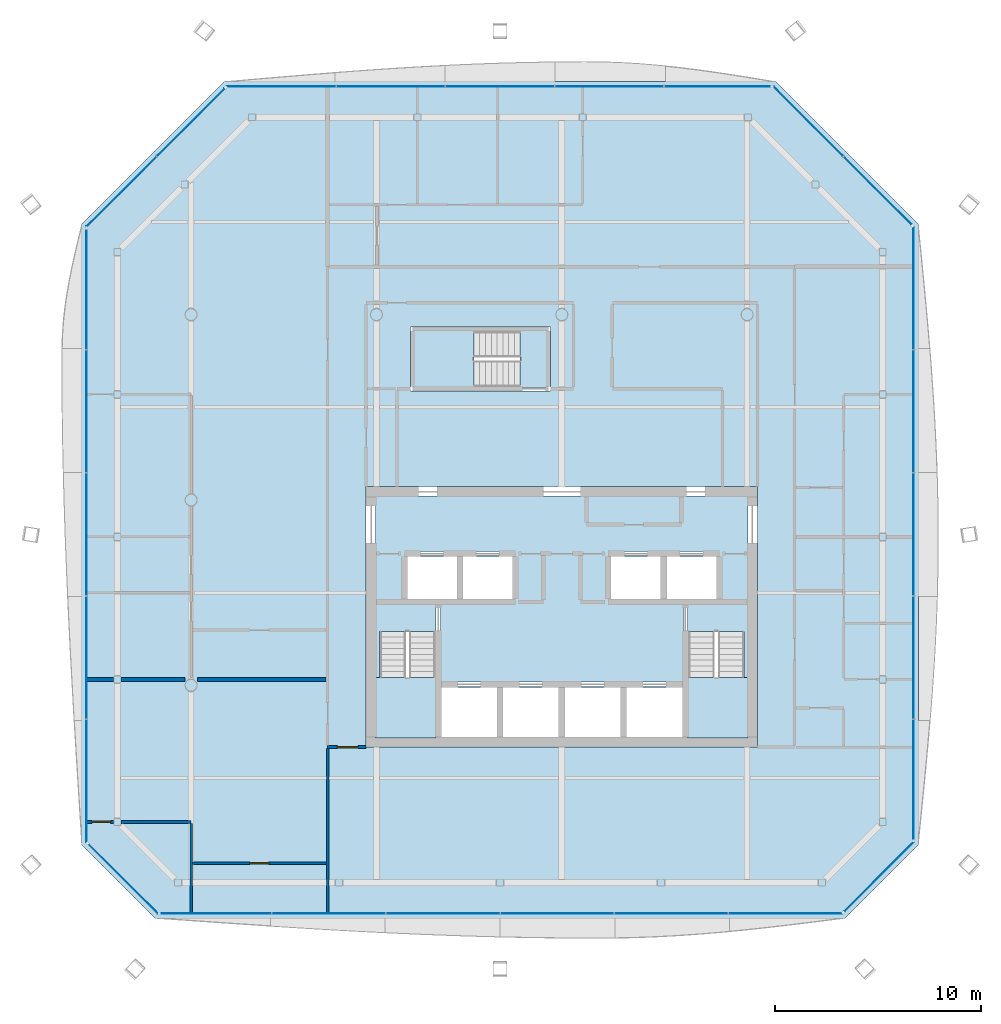
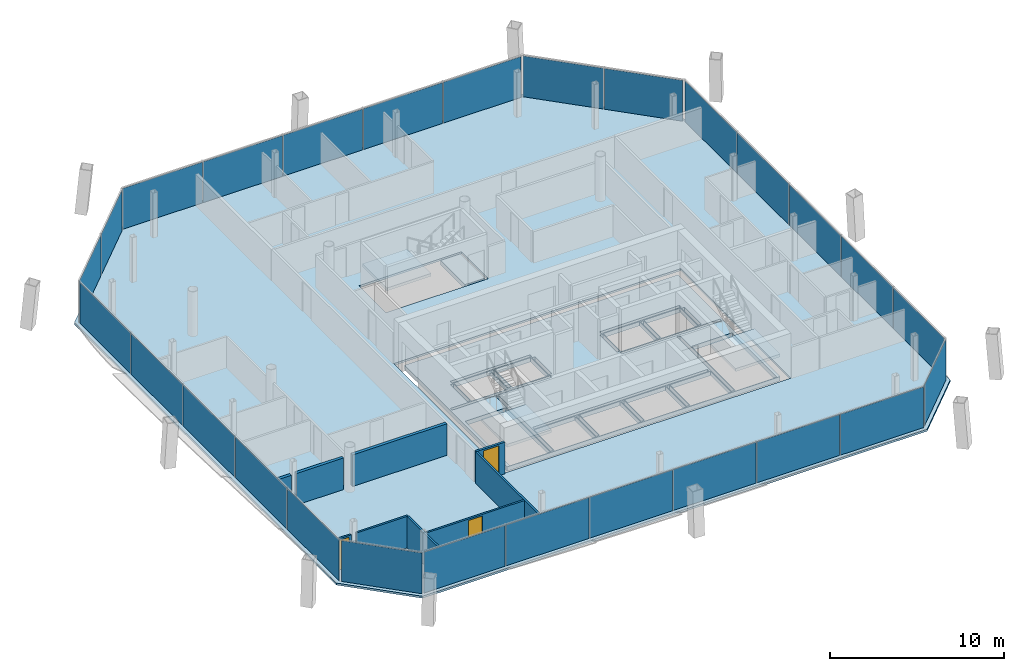
# One storey, part 13 of 20: 27 plates, 9 walls, 6 slabs, 3 doors, 3 openings, 11 elements without a shape of their own.
"""IFC4 building model written with IfcOpenShell, lengths in metres."""

from ifc_helpers import new_model, si_unit, direction, frame, frame_2d, origin, origin_2d, place, context, subcontext, project, spatial, polyline, rectangle, outline, extrude, material, layer, layer_set, type_object, element, fill, aggregate, save


model = new_model("IFC4")

# Units and contexts
model_context = context("Model", 3, precision=1e-05, world=origin(), true_north=direction((0.0, 1.0)))
body_context = subcontext(model_context, "Body", "Model", "MODEL_VIEW")
ifc_project = project(units=[si_unit("LENGTHUNIT", "METRE"), si_unit("AREAUNIT", "SQUARE_METRE"), si_unit("VOLUMEUNIT", "CUBIC_METRE"), si_unit("PLANEANGLEUNIT", "RADIAN"), si_unit("MASSUNIT", "GRAM", prefix="KILO")], contexts=[model_context])

# Site, building, storey
site_placement = place(None, origin())
site = spatial("IfcSite", under=ifc_project, at=site_placement, CompositionType="ELEMENT")
building_placement = place(site_placement, origin())
building = spatial("IfcBuilding", under=site, at=building_placement, Name="Tskaro Facet Tower", CompositionType="ELEMENT")
storey_placement = place(building_placement, frame((0.0, 0.0, 197.39990234375)))
storey = spatial("IfcBuildingStorey", under=building, at=storey_placement, Name="L50", CompositionType="ELEMENT", Elevation=197.39990234375)

# Slab
ifc_material_1 = material(Name="Concrete C30/37", Category="concrete")
ifc_layer_1 = layer(ifc_material_1, 0.139892578125, Name="Concrete C30/37")
ifc_layer_set_1 = layer_set([ifc_layer_1], Name="Concrete C30/37")
slab_type_1 = type_object("IfcSlabType", Name="Composite deck floor slab", PredefinedType="FLOOR", material=ifc_layer_set_1)
slab_1_placement = place(storey_placement, frame((0.0, 0.0, -0.139892578125)))
element("IfcSlab", 1, at=slab_1_placement, inside=storey, type_object=slab_type_1, Name="Floor slab FS3 L50", PredefinedType="FLOOR", context=body_context, shape_type="SweptSolid", body=[
    extrude(outline(polyline([(-19.721923828125, -20.330078125), (13.721923828125, -20.330078125), (17.330078125, -16.721923828125), (17.330078125, 13.3740234375), (10.3740234375, 20.330078125), (-16.3740234375, 20.330078125), (-23.330078125, 13.3740234375), (-23.330078125, -16.721923828125), (-19.721923828125, -20.330078125)]), holes=[polyline([(-9.5, -12.0), (9.5, -12.0), (9.5, 0.64990234375), (-9.5, 0.64990234375), (-9.5, -12.0)]), polyline([(-7.35009765625, 5.300048828125), (-0.550048828125, 5.300048828125), (-0.550048828125, 8.39990234375), (-7.35009765625, 8.39990234375), (-7.35009765625, 5.300048828125)])]), origin(), (0.0, 0.0, 1.0), 0.139892578125),
])

# Curtain wall, plates
ifc_material_2 = material(Name="Bronze anodised aluminium 6063-T6", Category="aluminium")
curtain_wall_type = type_object("IfcCurtainWallType", Name="Bronze residence curtain wall (FW3)", PredefinedType="NOTDEFINED", material=ifc_material_2)
curtain_wall_1_placement = place(storey_placement, origin())
curtain_wall_1 = element("IfcCurtainWall", 2, at=curtain_wall_1_placement, inside=storey, type_object=curtain_wall_type, Name="FW3 south facet L50", PredefinedType="NOTDEFINED")
ifc_material_3 = material(Name="Bronze low-iron glass", Category="glass")
ifc_layer_2 = layer(ifc_material_3, 0.028076171875, Name="Bronze low-iron glass")
ifc_layer_set_2 = layer_set([ifc_layer_2], Name="Bronze low-iron glass")
plate_type = type_object("IfcPlateType", Name="FW3 bronze-tinted unit glazing 28", PredefinedType="CURTAIN_PANEL", material=ifc_layer_set_2)
plate_1_placement = place(storey_placement, frame((-16.790771484375, -20.080078125, 0.0), z_axis=(0.0, 0.0, 1.0), x_axis=(1.0, 0.0, 0.0)))
plate_1 = element("IfcPlate", 3, at=plate_1_placement, type_object=plate_type, Name="FW3 south glazing 1.1", PredefinedType="CURTAIN_PANEL", context=body_context, shape_type="SweptSolid", body=[
    extrude(rectangle(XDim=5.374267578125, YDim=0.028076171875, at=origin_2d()), origin(), (0.0, 0.0, 1.0), 2.860107421875),
])
plate_2_placement = place(storey_placement, frame((-11.30908203125, -20.080078125, 0.0), z_axis=(0.0, 0.0, 1.0), x_axis=(1.0, 0.0, 0.0)))
plate_2 = element("IfcPlate", 4, at=plate_2_placement, type_object=plate_type, Name="FW3 south glazing 2.1", PredefinedType="CURTAIN_PANEL", context=body_context, shape_type="SweptSolid", body=[
    extrude(rectangle(XDim=5.4892578125, YDim=0.028076171875, at=origin_2d()), origin(), (0.0, 0.0, 1.0), 2.860107421875),
])
plate_3_placement = place(storey_placement, frame((-5.769775390625, -20.080078125, 0.0), z_axis=(0.0, 0.0, 1.0), x_axis=(1.0, 0.0, 0.0)))
plate_3 = element("IfcPlate", 5, at=plate_3_placement, type_object=plate_type, Name="FW3 south glazing 3.1", PredefinedType="CURTAIN_PANEL", context=body_context, shape_type="SweptSolid", body=[
    extrude(rectangle(XDim=5.4892578125, YDim=0.028076171875, at=origin_2d()), origin(), (0.0, 0.0, 1.0), 2.860107421875),
])
plate_4_placement = place(storey_placement, frame((-0.230224609375, -20.080078125, 0.0), z_axis=(0.0, 0.0, 1.0), x_axis=(1.0, 0.0, 0.0)))
plate_4 = element("IfcPlate", 6, at=plate_4_placement, type_object=plate_type, Name="FW3 south glazing 4.1", PredefinedType="CURTAIN_PANEL", context=body_context, shape_type="SweptSolid", body=[
    extrude(rectangle(XDim=5.4892578125, YDim=0.028076171875, at=origin_2d()), origin(), (0.0, 0.0, 1.0), 2.860107421875),
])
plate_5_placement = place(storey_placement, frame((5.30908203125, -20.080078125, 0.0), z_axis=(0.0, 0.0, 1.0), x_axis=(1.0, 0.0, 0.0)))
plate_5 = element("IfcPlate", 7, at=plate_5_placement, type_object=plate_type, Name="FW3 south glazing 5.1", PredefinedType="CURTAIN_PANEL", context=body_context, shape_type="SweptSolid", body=[
    extrude(rectangle(XDim=5.4892578125, YDim=0.028076171875, at=origin_2d()), origin(), (0.0, 0.0, 1.0), 2.860107421875),
])
plate_6_placement = place(storey_placement, frame((10.86083984375, -20.080078125, 0.0), z_axis=(0.0, 0.0, 1.0), x_axis=(1.0, 0.0, 0.0)))
plate_6 = element("IfcPlate", 8, at=plate_6_placement, type_object=plate_type, Name="FW3 south glazing 6.1", PredefinedType="CURTAIN_PANEL", context=body_context, shape_type="SweptSolid", body=[
    extrude(rectangle(XDim=5.514404296875, YDim=0.028076171875, at=origin_2d()), origin(), (0.0, 0.0, 1.0), 2.860107421875),
])
aggregate(curtain_wall_1, [plate_1, plate_2, plate_3, plate_4, plate_5, plate_6])

# Curtain wall, plate
curtain_wall_2_placement = place(storey_placement, origin())
curtain_wall_2 = element("IfcCurtainWall", 9, at=curtain_wall_2_placement, inside=storey, type_object=curtain_wall_type, Name="FW3 south-east facet L50", PredefinedType="NOTDEFINED")
plate_7_placement = place(storey_placement, frame((15.3984375, -18.299560546875, 0.0), z_axis=(0.0, 0.0, 1.0), x_axis=(0.707106781187, 0.707106781187, 0.0)))
plate_7 = element("IfcPlate", 10, at=plate_7_placement, type_object=plate_type, Name="FW3 south-east glazing 1.1", PredefinedType="CURTAIN_PANEL", context=body_context, shape_type="SweptSolid", body=[
    extrude(rectangle(XDim=4.756103515625, YDim=0.028076171875, at=origin_2d()), origin(), (0.0, 0.0, 1.0), 2.860107421875),
])
aggregate(curtain_wall_2, [plate_7])

# Curtain wall, plates
curtain_wall_3_placement = place(storey_placement, origin())
curtain_wall_3 = element("IfcCurtainWall", 11, at=curtain_wall_3_placement, inside=storey, type_object=curtain_wall_type, Name="FW3 east facet L50", PredefinedType="NOTDEFINED")
plate_8_placement = place(storey_placement, frame((17.080078125, -13.57177734375, 0.0), z_axis=(0.0, 0.0, 1.0), x_axis=(0.0, 1.0, 0.0)))
plate_8 = element("IfcPlate", 12, at=plate_8_placement, type_object=plate_type, Name="FW3 east glazing 1.1", PredefinedType="CURTAIN_PANEL", context=body_context, shape_type="SweptSolid", body=[
    extrude(rectangle(XDim=5.8125, YDim=0.028076171875, at=origin_2d()), origin(), (0.0, 0.0, 1.0), 2.860107421875),
])
plate_9_placement = place(storey_placement, frame((17.080078125, -7.651611328125, 0.0), z_axis=(0.0, 0.0, 1.0), x_axis=(0.0, 1.0, 0.0)))
plate_9 = element("IfcPlate", 13, at=plate_9_placement, type_object=plate_type, Name="FW3 east glazing 2.1", PredefinedType="CURTAIN_PANEL", context=body_context, shape_type="SweptSolid", body=[
    extrude(rectangle(XDim=5.927490234375, YDim=0.028076171875, at=origin_2d()), origin(), (0.0, 0.0, 1.0), 2.860107421875),
])
plate_10_placement = place(storey_placement, frame((17.080078125, -1.674072265625, 0.0), z_axis=(0.0, 0.0, 1.0), x_axis=(0.0, 1.0, 0.0)))
plate_10 = element("IfcPlate", 14, at=plate_10_placement, type_object=plate_type, Name="FW3 east glazing 3.1", PredefinedType="CURTAIN_PANEL", context=body_context, shape_type="SweptSolid", body=[
    extrude(rectangle(XDim=5.927490234375, YDim=0.028076171875, at=origin_2d()), origin(), (0.0, 0.0, 1.0), 2.860107421875),
])
plate_11_placement = place(storey_placement, frame((17.080078125, 4.3037109375, 0.0), z_axis=(0.0, 0.0, 1.0), x_axis=(0.0, 1.0, 0.0)))
plate_11 = element("IfcPlate", 15, at=plate_11_placement, type_object=plate_type, Name="FW3 east glazing 4.1", PredefinedType="CURTAIN_PANEL", context=body_context, shape_type="SweptSolid", body=[
    extrude(rectangle(XDim=5.927490234375, YDim=0.028076171875, at=origin_2d()), origin(), (0.0, 0.0, 1.0), 2.860107421875),
])
plate_12_placement = place(storey_placement, frame((17.080078125, 10.293701171875, 0.0), z_axis=(0.0, 0.0, 1.0), x_axis=(0.0, 1.0, 0.0)))
plate_12 = element("IfcPlate", 16, at=plate_12_placement, type_object=plate_type, Name="FW3 east glazing 5.1", PredefinedType="CURTAIN_PANEL", context=body_context, shape_type="SweptSolid", body=[
    extrude(rectangle(XDim=5.95263671875, YDim=0.028076171875, at=origin_2d()), origin(), (0.0, 0.0, 1.0), 2.860107421875),
])
aggregate(curtain_wall_3, [plate_8, plate_9, plate_10, plate_11, plate_12])

curtain_wall_4_placement = place(storey_placement, origin())
curtain_wall_4 = element("IfcCurtainWall", 17, at=curtain_wall_4_placement, inside=storey, type_object=curtain_wall_type, Name="FW3 north-east facet L50", PredefinedType="NOTDEFINED")
plate_13_placement = place(storey_placement, frame((15.3369140625, 15.01318359375, 0.0), z_axis=(0.0, 0.0, 1.0), x_axis=(-0.707106781187, 0.707106781187, 0.0)))
plate_13 = element("IfcPlate", 18, at=plate_13_placement, type_object=plate_type, Name="FW3 north-east glazing 1.1", PredefinedType="CURTAIN_PANEL", context=body_context, shape_type="SweptSolid", body=[
    extrude(rectangle(XDim=4.650390625, YDim=0.028076171875, at=origin_2d()), origin(), (0.0, 0.0, 1.0), 2.860107421875),
])
plate_14_placement = place(storey_placement, frame((11.963623046875, 18.38623046875, 0.0), z_axis=(0.0, 0.0, 1.0), x_axis=(-0.707106781187, 0.707106781187, 0.0)))
plate_14 = element("IfcPlate", 19, at=plate_14_placement, type_object=plate_type, Name="FW3 north-east glazing 2.1", PredefinedType="CURTAIN_PANEL", context=body_context, shape_type="SweptSolid", body=[
    extrude(rectangle(XDim=4.790283203125, YDim=0.028076171875, at=origin_2d()), origin(), (0.0, 0.0, 1.0), 2.860107421875),
])
aggregate(curtain_wall_4, [plate_13, plate_14])

curtain_wall_5_placement = place(storey_placement, origin())
curtain_wall_5 = element("IfcCurtainWall", 20, at=curtain_wall_5_placement, inside=storey, type_object=curtain_wall_type, Name="FW3 north facet L50", PredefinedType="NOTDEFINED")
plate_15_placement = place(storey_placement, frame((7.55859375, 20.080078125, 0.0), z_axis=(0.0, 0.0, 1.0), x_axis=(-1.0, 0.0, 0.0)))
plate_15 = element("IfcPlate", 21, at=plate_15_placement, type_object=plate_type, Name="FW3 north glazing 1.1", PredefinedType="CURTAIN_PANEL", context=body_context, shape_type="SweptSolid", body=[
    extrude(rectangle(XDim=5.14306640625, YDim=0.028076171875, at=origin_2d()), origin(), (0.0, 0.0, 1.0), 2.860107421875),
])
plate_16_placement = place(storey_placement, frame((2.30810546875, 20.080078125, 0.0), z_axis=(0.0, 0.0, 1.0), x_axis=(-1.0, 0.0, 0.0)))
plate_16 = element("IfcPlate", 22, at=plate_16_placement, type_object=plate_type, Name="FW3 north glazing 2.1", PredefinedType="CURTAIN_PANEL", context=body_context, shape_type="SweptSolid", body=[
    extrude(rectangle(XDim=5.258056640625, YDim=0.028076171875, at=origin_2d()), origin(), (0.0, 0.0, 1.0), 2.860107421875),
])
plate_17_placement = place(storey_placement, frame((-3.0, 20.080078125, 0.0), z_axis=(0.0, 0.0, 1.0), x_axis=(-1.0, 0.0, 0.0)))
plate_17 = element("IfcPlate", 23, at=plate_17_placement, type_object=plate_type, Name="FW3 north glazing 3.1", PredefinedType="CURTAIN_PANEL", context=body_context, shape_type="SweptSolid", body=[
    extrude(rectangle(XDim=5.258056640625, YDim=0.028076171875, at=origin_2d()), origin(), (0.0, 0.0, 1.0), 2.860107421875),
])
plate_18_placement = place(storey_placement, frame((-8.30810546875, 20.080078125, 0.0), z_axis=(0.0, 0.0, 1.0), x_axis=(-1.0, 0.0, 0.0)))
plate_18 = element("IfcPlate", 24, at=plate_18_placement, type_object=plate_type, Name="FW3 north glazing 4.1", PredefinedType="CURTAIN_PANEL", context=body_context, shape_type="SweptSolid", body=[
    extrude(rectangle(XDim=5.258056640625, YDim=0.028076171875, at=origin_2d()), origin(), (0.0, 0.0, 1.0), 2.860107421875),
])
plate_19_placement = place(storey_placement, frame((-13.62841796875, 20.080078125, 0.0), z_axis=(0.0, 0.0, 1.0), x_axis=(-1.0, 0.0, 0.0)))
plate_19 = element("IfcPlate", 25, at=plate_19_placement, type_object=plate_type, Name="FW3 north glazing 5.1", PredefinedType="CURTAIN_PANEL", context=body_context, shape_type="SweptSolid", body=[
    extrude(rectangle(XDim=5.282958984375, YDim=0.028076171875, at=origin_2d()), origin(), (0.0, 0.0, 1.0), 2.860107421875),
])
aggregate(curtain_wall_5, [plate_15, plate_16, plate_17, plate_18, plate_19])

curtain_wall_6_placement = place(storey_placement, origin())
curtain_wall_6 = element("IfcCurtainWall", 26, at=curtain_wall_6_placement, inside=storey, type_object=curtain_wall_type, Name="FW3 north-west facet L50", PredefinedType="NOTDEFINED")
plate_20_placement = place(storey_placement, frame((-18.01318359375, 18.3369140625, 0.0), z_axis=(0.0, 0.0, 1.0), x_axis=(-0.707106781187, -0.707106781187, 0.0)))
plate_20 = element("IfcPlate", 27, at=plate_20_placement, type_object=plate_type, Name="FW3 north-west glazing 1.1", PredefinedType="CURTAIN_PANEL", context=body_context, shape_type="SweptSolid", body=[
    extrude(rectangle(XDim=4.650390625, YDim=0.028076171875, at=origin_2d()), origin(), (0.0, 0.0, 1.0), 2.860107421875),
])
plate_21_placement = place(storey_placement, frame((-21.38623046875, 14.963623046875, 0.0), z_axis=(0.0, 0.0, 1.0), x_axis=(-0.707106781187, -0.707106781187, 0.0)))
plate_21 = element("IfcPlate", 28, at=plate_21_placement, type_object=plate_type, Name="FW3 north-west glazing 2.1", PredefinedType="CURTAIN_PANEL", context=body_context, shape_type="SweptSolid", body=[
    extrude(rectangle(XDim=4.790283203125, YDim=0.028076171875, at=origin_2d()), origin(), (0.0, 0.0, 1.0), 2.860107421875),
])
aggregate(curtain_wall_6, [plate_20, plate_21])

curtain_wall_7_placement = place(storey_placement, origin())
curtain_wall_7 = element("IfcCurtainWall", 29, at=curtain_wall_7_placement, inside=storey, type_object=curtain_wall_type, Name="FW3 west facet L50", PredefinedType="NOTDEFINED")
plate_22_placement = place(storey_placement, frame((-23.080078125, 10.2236328125, 0.0), z_axis=(0.0, 0.0, 1.0), x_axis=(0.0, -1.0, 0.0)))
plate_22 = element("IfcPlate", 30, at=plate_22_placement, type_object=plate_type, Name="FW3 west glazing 1.1", PredefinedType="CURTAIN_PANEL", context=body_context, shape_type="SweptSolid", body=[
    extrude(rectangle(XDim=5.8125, YDim=0.028076171875, at=origin_2d()), origin(), (0.0, 0.0, 1.0), 2.860107421875),
])
plate_23_placement = place(storey_placement, frame((-23.080078125, 4.3037109375, 0.0), z_axis=(0.0, 0.0, 1.0), x_axis=(0.0, -1.0, 0.0)))
plate_23 = element("IfcPlate", 31, at=plate_23_placement, type_object=plate_type, Name="FW3 west glazing 2.1", PredefinedType="CURTAIN_PANEL", context=body_context, shape_type="SweptSolid", body=[
    extrude(rectangle(XDim=5.927490234375, YDim=0.028076171875, at=origin_2d()), origin(), (0.0, 0.0, 1.0), 2.860107421875),
])
plate_24_placement = place(storey_placement, frame((-23.080078125, -1.674072265625, 0.0), z_axis=(0.0, 0.0, 1.0), x_axis=(0.0, -1.0, 0.0)))
plate_24 = element("IfcPlate", 32, at=plate_24_placement, type_object=plate_type, Name="FW3 west glazing 3.1", PredefinedType="CURTAIN_PANEL", context=body_context, shape_type="SweptSolid", body=[
    extrude(rectangle(XDim=5.927490234375, YDim=0.028076171875, at=origin_2d()), origin(), (0.0, 0.0, 1.0), 2.860107421875),
])
plate_25_placement = place(storey_placement, frame((-23.080078125, -7.651611328125, 0.0), z_axis=(0.0, 0.0, 1.0), x_axis=(0.0, -1.0, 0.0)))
plate_25 = element("IfcPlate", 33, at=plate_25_placement, type_object=plate_type, Name="FW3 west glazing 4.1", PredefinedType="CURTAIN_PANEL", context=body_context, shape_type="SweptSolid", body=[
    extrude(rectangle(XDim=5.927490234375, YDim=0.028076171875, at=origin_2d()), origin(), (0.0, 0.0, 1.0), 2.860107421875),
])
plate_26_placement = place(storey_placement, frame((-23.080078125, -13.6416015625, 0.0), z_axis=(0.0, 0.0, 1.0), x_axis=(0.0, -1.0, 0.0)))
plate_26 = element("IfcPlate", 34, at=plate_26_placement, type_object=plate_type, Name="FW3 west glazing 5.1", PredefinedType="CURTAIN_PANEL", context=body_context, shape_type="SweptSolid", body=[
    extrude(rectangle(XDim=5.95263671875, YDim=0.028076171875, at=origin_2d()), origin(), (0.0, 0.0, 1.0), 2.860107421875),
])
aggregate(curtain_wall_7, [plate_22, plate_23, plate_24, plate_25, plate_26])

# Curtain wall, plate
curtain_wall_8_placement = place(storey_placement, origin())
curtain_wall_8 = element("IfcCurtainWall", 35, at=curtain_wall_8_placement, inside=storey, type_object=curtain_wall_type, Name="FW3 south-west facet L50", PredefinedType="NOTDEFINED")
plate_27_placement = place(storey_placement, frame((-21.299560546875, -18.3984375, 0.0), z_axis=(0.0, 0.0, 1.0), x_axis=(0.707106781187, -0.707106781187, 0.0)))
plate_27 = element("IfcPlate", 36, at=plate_27_placement, type_object=plate_type, Name="FW3 south-west glazing 1.1", PredefinedType="CURTAIN_PANEL", context=body_context, shape_type="SweptSolid", body=[
    extrude(rectangle(XDim=4.756103515625, YDim=0.028076171875, at=origin_2d()), origin(), (0.0, 0.0, 1.0), 2.860107421875),
])
aggregate(curtain_wall_8, [plate_27])

# Stair, slab
ifc_material_4 = material(Name="Concrete C40/50", Category="concrete")
stair_type = type_object("IfcStairType", Name="ST-TWR", PredefinedType="HALF_TURN_STAIR", material=ifc_material_4)
stair_1_placement = place(storey_placement, origin())
stair_1 = element("IfcStair", 37, at=stair_1_placement, inside=storey, type_object=stair_type, Name="L50 Exit stair 1", PredefinedType="HALF_TURN_STAIR")
ifc_layer_3 = layer(ifc_material_4, 0.199951171875, Name="Concrete C40/50")
ifc_layer_set_3 = layer_set([ifc_layer_3], Name="Concrete C40/50")
slab_type_2 = type_object("IfcSlabType", Name="SL-LANDING", PredefinedType="LANDING", material=ifc_layer_set_3)
slab_2_placement = place(storey_placement, frame((0.0, 0.0, 1.375)))
slab_2 = element("IfcSlab", 38, at=slab_2_placement, type_object=slab_type_2, Name="ST-1 landing 1", PredefinedType="LANDING", context=body_context, shape_type="SweptSolid", body=[
    extrude(outline(polyline([(-9.050048828125, -11.550048828125), (-6.10009765625, -11.550048828125), (-6.10009765625, -8.614990234375), (-9.050048828125, -8.614990234375), (-9.050048828125, -11.550048828125)])), origin(), (0.0, 0.0, 1.0), 0.2001953125),
])
aggregate(stair_1, [slab_2])

stair_2_placement = place(storey_placement, origin())
stair_2 = element("IfcStair", 39, at=stair_2_placement, inside=storey, type_object=stair_type, Name="L50 Exit stair 2", PredefinedType="HALF_TURN_STAIR")
slab_3_placement = place(storey_placement, frame((0.0, 0.0, 1.375)))
slab_3 = element("IfcSlab", 40, at=slab_3_placement, type_object=slab_type_2, Name="ST-2 landing 1", PredefinedType="LANDING", context=body_context, shape_type="SweptSolid", body=[
    extrude(outline(polyline([(6.10009765625, -11.550048828125), (9.050048828125, -11.550048828125), (9.050048828125, -8.614990234375), (6.10009765625, -8.614990234375), (6.10009765625, -11.550048828125)])), origin(), (0.0, 0.0, 1.0), 0.2001953125),
])
aggregate(stair_2, [slab_3])

stair_3_placement = place(storey_placement, origin())
stair_3 = element("IfcStair", 41, at=stair_3_placement, inside=storey, type_object=stair_type, Name="L50 Exit stair 3", PredefinedType="HALF_TURN_STAIR")
slab_4_placement = place(storey_placement, frame((0.0, 0.0, 1.375)))
slab_4 = element("IfcSlab", 42, at=slab_4_placement, type_object=slab_type_2, Name="ST-3 landing 1", PredefinedType="LANDING", context=body_context, shape_type="SweptSolid", body=[
    extrude(outline(polyline([(-7.199951171875, 5.449951171875), (-4.264892578125, 5.449951171875), (-4.264892578125, 8.25), (-7.199951171875, 8.25), (-7.199951171875, 5.449951171875)])), origin(), (0.0, 0.0, 1.0), 0.2001953125),
])
aggregate(stair_3, [slab_4])

# Slabs
ifc_material_5 = material(Name="Concrete C60/75", Category="concrete")
ifc_layer_4 = layer(ifc_material_5, 0.300048828125, Name="Concrete C60/75")
ifc_layer_set_4 = layer_set([ifc_layer_4], Name="Concrete C60/75")
slab_type_3 = type_object("IfcSlabType", Name="SLAB-CORE", PredefinedType="FLOOR", material=ifc_layer_set_4)
slab_5_placement = place(storey_placement, frame((0.0, 0.0, -0.2998046875)))
element("IfcSlab", 43, at=slab_5_placement, inside=storey, type_object=slab_type_3, Name="Core floor slab 1", PredefinedType="FLOOR", context=body_context, shape_type="SweptSolid", body=[
    extrude(outline(polyline([(-9.050048828125, 0.199951171875), (9.050048828125, 0.199951171875), (9.050048828125, 0.10009765625), (9.050048828125, -11.449951171875), (9.050048828125, -11.550048828125), (-9.050048828125, -11.550048828125), (-9.050048828125, -11.449951171875), (-9.050048828125, 0.10009765625), (-9.050048828125, 0.199951171875)]), holes=[polyline([(-5.85009765625, -9.10009765625), (-5.85009765625, -11.5), (-3.14990234375, -11.5), (-3.14990234375, -9.10009765625), (-5.85009765625, -9.10009765625)]), polyline([(-3.10009765625, -11.449951171875), (-2.89990234375, -11.449951171875), (-2.89990234375, -9.14990234375), (-3.10009765625, -9.14990234375), (-3.10009765625, -11.449951171875)]), polyline([(-2.85009765625, -9.10009765625), (-2.85009765625, -11.5), (-0.14990234375, -11.5), (-0.14990234375, -9.10009765625), (-2.85009765625, -9.10009765625)]), polyline([(-6.10009765625, -11.449951171875), (-5.89990234375, -11.449951171875), (-5.89990234375, -5.14990234375), (-6.10009765625, -5.14990234375), (-6.10009765625, -11.449951171875)]), polyline([(-8.949951171875, -5.050048828125), (-2.300048828125, -5.050048828125), (-2.300048828125, -4.85009765625), (-8.949951171875, -4.85009765625), (-8.949951171875, -5.050048828125)]), polyline([(-7.75, -4.75), (-7.550048828125, -4.75), (-7.550048828125, -2.800048828125), (-7.75, -2.800048828125), (-7.75, -4.75)]), polyline([(-5.10009765625, -2.75), (-7.5, -2.75), (-7.5, -4.800048828125), (-5.10009765625, -4.800048828125), (-5.10009765625, -2.75)]), polyline([(-5.050048828125, -4.75), (-4.85009765625, -4.75), (-4.85009765625, -2.800048828125), (-5.050048828125, -2.800048828125), (-5.050048828125, -4.75)]), polyline([(-2.39990234375, -2.75), (-4.800048828125, -2.75), (-4.800048828125, -4.800048828125), (-2.39990234375, -4.800048828125), (-2.39990234375, -2.75)]), polyline([(-2.35009765625, -4.75), (-2.14990234375, -4.75), (-2.14990234375, -2.800048828125), (-2.35009765625, -2.800048828125), (-2.35009765625, -4.75)]), polyline([(-7.60009765625, -2.699951171875), (-2.300048828125, -2.699951171875), (-2.300048828125, -2.5), (-7.60009765625, -2.5), (-7.60009765625, -2.699951171875)]), polyline([(-0.10009765625, -11.449951171875), (0.10009765625, -11.449951171875), (0.10009765625, -9.14990234375), (-0.10009765625, -9.14990234375), (-0.10009765625, -11.449951171875)]), polyline([(0.14990234375, -9.10009765625), (0.14990234375, -11.5), (2.85009765625, -11.5), (2.85009765625, -9.10009765625), (0.14990234375, -9.10009765625)]), polyline([(2.89990234375, -11.449951171875), (3.10009765625, -11.449951171875), (3.10009765625, -9.14990234375), (2.89990234375, -9.14990234375), (2.89990234375, -11.449951171875)]), polyline([(3.14990234375, -9.10009765625), (3.14990234375, -11.5), (5.85009765625, -11.5), (5.85009765625, -9.10009765625), (3.14990234375, -9.10009765625)]), polyline([(-5.800048828125, -9.050048828125), (5.800048828125, -9.050048828125), (5.800048828125, -8.85009765625), (-5.800048828125, -8.85009765625), (-5.800048828125, -9.050048828125)]), polyline([(5.89990234375, -11.449951171875), (6.10009765625, -11.449951171875), (6.10009765625, -5.14990234375), (5.89990234375, -5.14990234375), (5.89990234375, -11.449951171875)]), polyline([(2.300048828125, -5.050048828125), (8.949951171875, -5.050048828125), (8.949951171875, -4.85009765625), (2.300048828125, -4.85009765625), (2.300048828125, -5.050048828125)]), polyline([(2.14990234375, -4.75), (2.35009765625, -4.75), (2.35009765625, -2.800048828125), (2.14990234375, -2.800048828125), (2.14990234375, -4.75)]), polyline([(4.800048828125, -2.75), (2.39990234375, -2.75), (2.39990234375, -4.800048828125), (4.800048828125, -4.800048828125), (4.800048828125, -2.75)]), polyline([(4.85009765625, -4.75), (5.050048828125, -4.75), (5.050048828125, -2.800048828125), (4.85009765625, -2.800048828125), (4.85009765625, -4.75)]), polyline([(7.5, -2.75), (5.10009765625, -2.75), (5.10009765625, -4.800048828125), (7.5, -4.800048828125), (7.5, -2.75)]), polyline([(7.550048828125, -4.75), (7.75, -4.75), (7.75, -2.800048828125), (7.550048828125, -2.800048828125), (7.550048828125, -4.75)]), polyline([(2.300048828125, -2.699951171875), (7.60009765625, -2.699951171875), (7.60009765625, -2.5), (2.300048828125, -2.5), (2.300048828125, -2.699951171875)]), polyline([(-8.85009765625, -11.5), (-6.14990234375, -11.5), (-6.14990234375, -6.39501953125), (-8.85009765625, -6.39501953125), (-8.85009765625, -11.5)]), polyline([(6.14990234375, -6.39501953125), (6.14990234375, -11.5), (8.85009765625, -11.5), (8.85009765625, -6.39501953125), (6.14990234375, -6.39501953125)])]), origin(), (0.0, 0.0, 1.0), 0.2998046875),
])
slab_6_placement = place(storey_placement, frame((0.0, 0.0, -0.2998046875)))
element("IfcSlab", 44, at=slab_6_placement, inside=storey, type_object=slab_type_3, Name="Stair 3 floor landing 1", PredefinedType="FLOOR", context=body_context, shape_type="SweptSolid", body=[
    extrude(outline(polyline([(-2.02490234375, 5.449951171875), (-0.699951171875, 5.449951171875), (-0.699951171875, 8.25), (-2.02490234375, 8.25), (-2.02490234375, 5.449951171875)])), origin(), (0.0, 0.0, 1.0), 0.2998046875),
])

# Wall, opening, door
ifc_material_6 = material(Name="Gypsum board on steel studs", Category="steel")
ifc_layer_5 = layer(ifc_material_6, 0.125, Name="Gypsum board on steel studs")
ifc_layer_set_5 = layer_set([ifc_layer_5], Name="Gypsum board on steel studs")
wall_type_1 = type_object("IfcWallType", Name="PART", PredefinedType="PARTITIONING", material=ifc_layer_set_5)
wall_1_placement = place(storey_placement, frame((-11.4375, -17.6298828125, 0.0), z_axis=(0.0, 0.0, 1.0), x_axis=(-1.0, 0.0, 0.0)))
wall_1 = element("IfcWall", 45, at=wall_1_placement, inside=storey, type_object=wall_type_1, Name="Partition W001", PredefinedType="PARTITIONING", context=body_context, shape_type="SweptSolid", body=[
    extrude(rectangle(XDim=6.5, YDim=0.125, at=frame_2d((3.25, 0.0))), origin(), (0.0, 0.0, 1.0), 2.210205078125),
])
opening_1_placement = place(wall_1_placement, frame((2.800048828125, 0.0, 0.0)))
opening_1 = element("IfcOpeningElement", 46, at=opening_1_placement, cuts=wall_1, Name="Opening T14-D01", PredefinedType="OPENING", context=body_context, shape_type="SweptSolid", body=[
    extrude(rectangle(XDim=0.89990234375, YDim=2.10009765625, at=frame_2d((0.449951171875, 1.050048828125))), frame((0.0, 0.072509765625, 0.0), z_axis=(0.0, -1.0, 0.0), x_axis=(1.0, 0.0, 0.0)), (0.0, 0.0, 1.0), 0.14501953125),
])
ifc_material_7 = material(Name="Timber", Category="wood")
door_type_1 = type_object("IfcDoorType", Name="D-ROOM", OperationType="NOTDEFINED", PredefinedType="DOOR", material=ifc_material_7)
door_1_placement = place(opening_1_placement, origin())
door_1 = element("IfcDoor", 47, at=door_1_placement, inside=storey, type_object=door_type_1, Name="Door T14-D01", OperationType="SINGLE_SWING_RIGHT", OverallHeight=2.10009765625, OverallWidth=0.89990234375, PredefinedType="DOOR", context=body_context, shape_type="SweptSolid", body=[
    extrude(rectangle(XDim=0.89990234375, YDim=2.10009765625, at=frame_2d((0.449951171875, 1.050048828125))), frame((0.0, 0.02490234375, 0.0), z_axis=(0.0, -1.0, 0.0), x_axis=(1.0, 0.0, 0.0)), (0.0, 0.0, 1.0), 0.050048828125),
])
fill(opening_1, door_1)

wall_2_placement = place(storey_placement, frame((-21.758056640625, -15.635009765625, 0.0), z_axis=(0.0, 0.0, 1.0), x_axis=(-1.0, 0.0, 0.0)))
wall_2 = element("IfcWall", 48, at=wall_2_placement, inside=storey, type_object=wall_type_1, Name="Partition W002", PredefinedType="PARTITIONING", context=body_context, shape_type="SweptSolid", body=[
    extrude(rectangle(XDim=1.27197265625, YDim=0.125, at=frame_2d((0.635986328125, 0.0))), origin(), (0.0, 0.0, 1.0), 2.210205078125),
])
opening_2_placement = place(wall_2_placement, frame((0.14990234375, 0.0, 0.0)))
opening_2 = element("IfcOpeningElement", 49, at=opening_2_placement, cuts=wall_2, Name="Opening T14-D02", PredefinedType="OPENING", context=body_context, shape_type="SweptSolid", body=[
    extrude(rectangle(XDim=0.89990234375, YDim=2.10009765625, at=frame_2d((0.449951171875, 1.050048828125))), frame((0.0, 0.072509765625, 0.0), z_axis=(0.0, -1.0, 0.0), x_axis=(1.0, 0.0, 0.0)), (0.0, 0.0, 1.0), 0.14501953125),
])
door_2_placement = place(opening_2_placement, origin())
door_2 = element("IfcDoor", 50, at=door_2_placement, inside=storey, type_object=door_type_1, Name="Door T14-D02", OperationType="SINGLE_SWING_RIGHT", OverallHeight=2.10009765625, OverallWidth=0.89990234375, PredefinedType="DOOR", context=body_context, shape_type="SweptSolid", body=[
    extrude(rectangle(XDim=0.89990234375, YDim=2.10009765625, at=frame_2d((0.449951171875, 1.050048828125))), frame((0.0, 0.02490234375, 0.0), z_axis=(0.0, -1.0, 0.0), x_axis=(1.0, 0.0, 0.0)), (0.0, 0.0, 1.0), 0.050048828125),
])
fill(opening_2, door_2)

# Walls
wall_3_placement = place(storey_placement, frame((-21.407958984375, -15.635009765625, 0.0), z_axis=(0.0, 0.0, 1.0), x_axis=(1.0, 0.0, 0.0)))
element("IfcWall", 51, at=wall_3_placement, inside=storey, type_object=wall_type_1, Name="Partition W003", PredefinedType="PARTITIONING", context=body_context, shape_type="SweptSolid", body=[
    extrude(rectangle(XDim=3.407958984375, YDim=0.125, at=frame_2d((1.7041015625, 0.0))), origin(), (0.0, 0.0, 1.0), 2.210205078125),
])
wall_4_placement = place(storey_placement, frame((-18.0, -20.030029296875, 0.0), z_axis=(0.0, 0.0, 1.0), x_axis=(0.0, 1.0, 0.0)))
element("IfcWall", 52, at=wall_4_placement, inside=storey, type_object=wall_type_1, Name="Partition W048", PredefinedType="PARTITIONING", context=body_context, shape_type="SweptSolid", body=[
    extrude(rectangle(XDim=4.33251953125, YDim=0.125, at=frame_2d((2.166259765625, 0.0))), origin(), (0.0, 0.0, 1.0), 2.210205078125),
])
wall_5_placement = place(storey_placement, frame((-11.375, -20.030029296875, 0.0), z_axis=(0.0, 0.0, 1.0), x_axis=(0.0, 1.0, 0.0)))
element("IfcWall", 53, at=wall_5_placement, inside=storey, type_object=wall_type_1, Name="Partition W051", PredefinedType="PARTITIONING", context=body_context, shape_type="SweptSolid", body=[
    extrude(rectangle(XDim=7.955078125, YDim=0.125, at=frame_2d((3.9775390625, 0.0))), origin(), (0.0, 0.0, 1.0), 2.210205078125),
])

# Wall, opening, door
ifc_layer_6 = layer(ifc_material_6, 0.14990234375, Name="Gypsum board on steel studs")
ifc_layer_set_6 = layer_set([ifc_layer_6], Name="Gypsum board on steel studs")
wall_type_2 = type_object("IfcWallType", Name="PART-CORR", PredefinedType="PARTITIONING", material=ifc_layer_set_6)
wall_6_placement = place(storey_placement, frame((-9.5, -12.0, 0.0), z_axis=(0.0, 0.0, 1.0), x_axis=(-1.0, 0.0, 0.0)))
wall_6 = element("IfcWall", 54, at=wall_6_placement, inside=storey, type_object=wall_type_2, Name="Corridor wall W004", PredefinedType="PARTITIONING", context=body_context, shape_type="SweptSolid", body=[
    extrude(rectangle(XDim=1.875, YDim=0.14990234375, at=frame_2d((0.9375, 0.0))), origin(), (0.0, 0.0, 1.0), 2.210205078125),
])
opening_3_placement = place(wall_6_placement, frame((0.39990234375, 0.0, 0.0)))
opening_3 = element("IfcOpeningElement", 55, at=opening_3_placement, cuts=wall_6, Name="Opening T14-D03", PredefinedType="OPENING", context=body_context, shape_type="SweptSolid", body=[
    extrude(rectangle(XDim=1.0, YDim=2.10009765625, at=frame_2d((0.5, 1.050048828125))), frame((0.0, 0.0849609375, 0.0), z_axis=(0.0, -1.0, 0.0), x_axis=(1.0, 0.0, 0.0)), (0.0, 0.0, 1.0), 0.169921875),
])
door_type_2 = type_object("IfcDoorType", Name="D-ROOM-WIDE", OperationType="NOTDEFINED", PredefinedType="DOOR", material=ifc_material_7)
door_3_placement = place(opening_3_placement, origin())
door_3 = element("IfcDoor", 56, at=door_3_placement, inside=storey, type_object=door_type_2, Name="Door T14-D03", OperationType="SINGLE_SWING_RIGHT", OverallHeight=2.10009765625, OverallWidth=1.0, PredefinedType="DOOR", context=body_context, shape_type="SweptSolid", body=[
    extrude(rectangle(XDim=1.0, YDim=2.10009765625, at=frame_2d((0.5, 1.050048828125))), frame((0.0, 0.02490234375, 0.0), z_axis=(0.0, -1.0, 0.0), x_axis=(1.0, 0.0, 0.0)), (0.0, 0.0, 1.0), 0.050048828125),
])
fill(opening_3, door_3)

# Walls
ifc_layer_7 = layer(ifc_material_6, 0.199951171875, Name="Gypsum board on steel studs")
ifc_layer_set_7 = layer_set([ifc_layer_7], Name="Gypsum board on steel studs")
wall_type_3 = type_object("IfcWallType", Name="PART-DEMISING", PredefinedType="PARTITIONING", material=ifc_layer_set_7)
wall_7_placement = place(storey_placement, frame((-23.030029296875, -8.715087890625, 0.0), z_axis=(0.0, 0.0, 1.0), x_axis=(1.0, 0.0, 0.0)))
element("IfcWall", 57, at=wall_7_placement, inside=storey, type_object=wall_type_3, Name="Guest room wall W009", PredefinedType="PARTITIONING", context=body_context, shape_type="SweptSolid", body=[
    extrude(rectangle(XDim=1.27197265625, YDim=0.199951171875, at=frame_2d((0.635986328125, 0.0))), origin(), (0.0, 0.0, 1.0), 2.210205078125),
])
wall_8_placement = place(storey_placement, frame((-21.407958984375, -8.715087890625, 0.0), z_axis=(0.0, 0.0, 1.0), x_axis=(1.0, 0.0, 0.0)))
element("IfcWall", 58, at=wall_8_placement, inside=storey, type_object=wall_type_3, Name="Guest room wall W010", PredefinedType="PARTITIONING", context=body_context, shape_type="SweptSolid", body=[
    extrude(rectangle(XDim=3.10302734375, YDim=0.199951171875, at=frame_2d((1.551513671875, 0.0))), origin(), (0.0, 0.0, 1.0), 2.210205078125),
])
wall_9_placement = place(storey_placement, frame((-17.695068359375, -8.715087890625, 0.0), z_axis=(0.0, 0.0, 1.0), x_axis=(1.0, 0.0, 0.0)))
element("IfcWall", 59, at=wall_9_placement, inside=storey, type_object=wall_type_3, Name="Guest room wall W011", PredefinedType="PARTITIONING", context=body_context, shape_type="SweptSolid", body=[
    extrude(rectangle(XDim=6.2451171875, YDim=0.199951171875, at=frame_2d((3.12255859375, 0.0))), origin(), (0.0, 0.0, 1.0), 2.210205078125),
])

save(model, "model.ifc")
